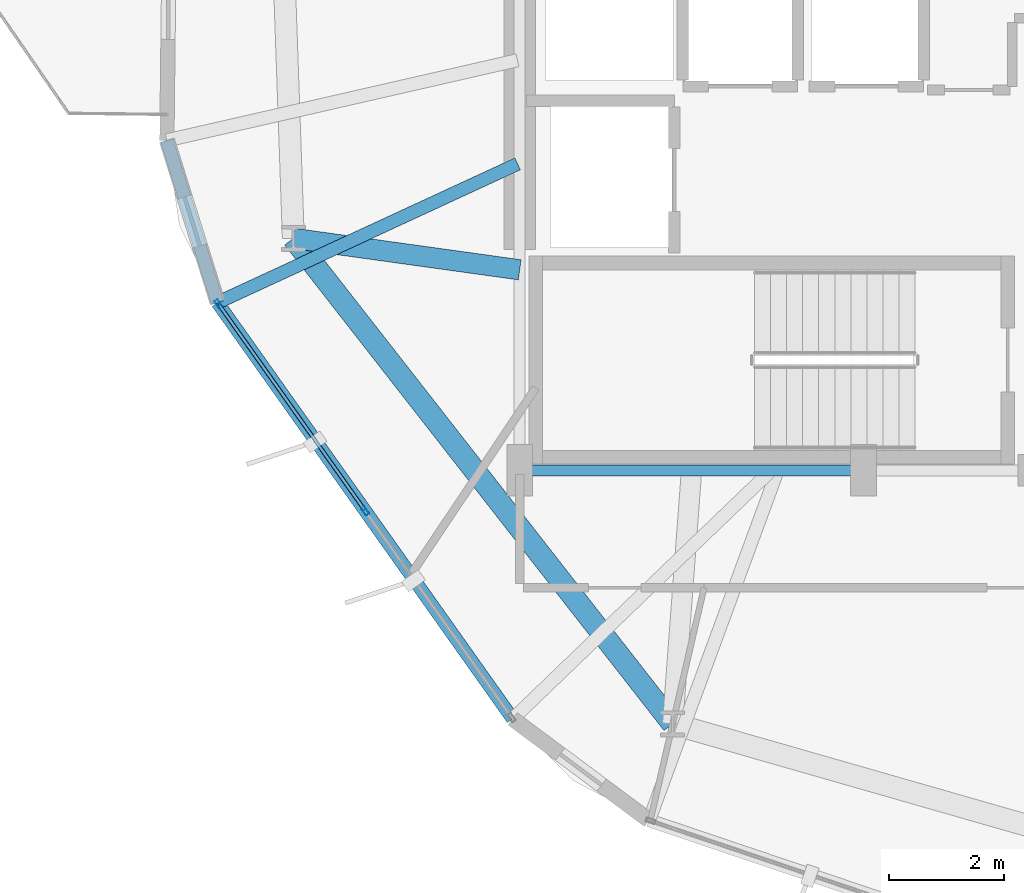
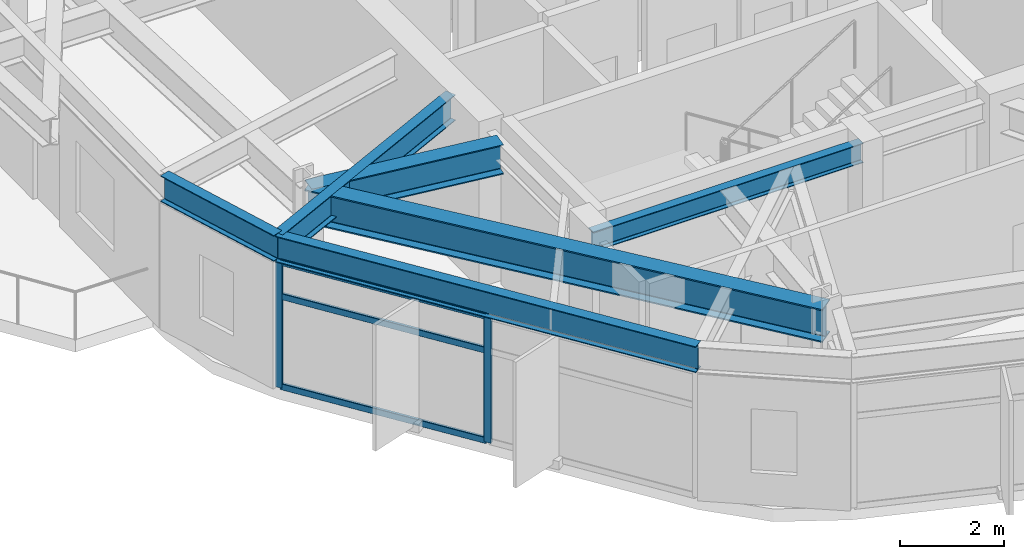
# One storey, part 3 of 27: 6 beams, 5 members, 1 element without a shape of its own.
"""IFC4 building model written with IfcOpenShell, lengths in metres."""

from ifc_helpers import new_model, si_unit, direction, frame, origin, origin_2d, place, context, subcontext, project, spatial, hollow_rectangle, i_section, extrude, material, layer, layer_set, material_profile, profile_set, type_object, element, aggregate, save


model = new_model("IFC4")

# Units and contexts
model_context = context("Model", 3, precision=1e-05, world=origin(), true_north=direction((0.0, 1.0)))
body_context = subcontext(model_context, "Body", "Model", "MODEL_VIEW")
ifc_project = project(units=[si_unit("LENGTHUNIT", "METRE"), si_unit("AREAUNIT", "SQUARE_METRE"), si_unit("VOLUMEUNIT", "CUBIC_METRE"), si_unit("PLANEANGLEUNIT", "RADIAN"), si_unit("MASSUNIT", "GRAM", prefix="KILO")], contexts=[model_context])

# Site, building, storey
site_placement = place(None, origin())
site = spatial("IfcSite", under=ifc_project, at=site_placement, CompositionType="ELEMENT")
building_placement = place(site_placement, origin())
building = spatial("IfcBuilding", under=site, at=building_placement, Name="Soratama Intermodal Tower", CompositionType="ELEMENT")
storey_placement = place(building_placement, frame((0.0, 0.0, 95.199951171875)))
storey = spatial("IfcBuildingStorey", under=building, at=storey_placement, Name="L22", CompositionType="ELEMENT", Elevation=95.199951171875)

# Beams
ifc_material_1 = material(Name="Structural steel ASTM A992 Grade 50", Category="steel")
ifc_material_profile_1 = material_profile(ifc_material_1, i_section(OverallWidth=0.19091796875, OverallDepth=0.4599609375, WebThickness=0.010009765625, FlangeThickness=0.01611328125, FilletRadius=0.010986328125, at=origin_2d()), Name="W18X55")
ifc_profile_set_1 = profile_set([ifc_material_profile_1], Name="Structural steel ASTM A992 Grade 50")
beam_type_1 = type_object("IfcBeamType", Name="BM-FLR-W18X55", PredefinedType="BEAM", material=ifc_profile_set_1)
beam_1_placement = place(storey_placement, frame((32.60009765625, 15.0, 3.3701171875), z_axis=(1.0, 0.0, 0.0), x_axis=(0.0, 1.0, 0.0)))
element("IfcBeam", 1, at=beam_1_placement, inside=storey, type_object=beam_type_1, Name="BM-L22-CRING-01", PredefinedType="BEAM", context=body_context, shape_type="SweptSolid", body=[
    extrude(i_section(OverallWidth=0.19091796875, OverallDepth=0.4599609375, WebThickness=0.010009765625, FlangeThickness=0.01611328125, FilletRadius=0.010986328125, at=origin_2d()), origin(), (0.0, 0.0, 1.0), 6.0),
])
ifc_material_2 = material(Name="Structural steel ASTM A992 Grade 50", Category="steel")
ifc_material_profile_2 = material_profile(ifc_material_2, i_section(OverallWidth=0.35498046875, OverallDepth=0.695068359375, WebThickness=0.015380859375, FlangeThickness=0.02490234375, FilletRadius=0.01611328125, at=origin_2d()), Name="W27X146")
ifc_profile_set_2 = profile_set([ifc_material_profile_2], Name="Structural steel ASTM A992 Grade 50")
beam_type_2 = type_object("IfcBeamType", Name="BM-RING-W27X146", PredefinedType="BEAM", material=ifc_profile_set_2)
beam_2_placement = place(storey_placement, frame((32.60009765625, 18.5, 3.25244140625), z_axis=(-0.990482077962, 0.137641756879, 0.0), x_axis=(-0.137641756879, -0.990482077962, 0.0)))
element("IfcBeam", 2, at=beam_2_placement, inside=storey, type_object=beam_type_2, Name="BM-L22-RAD-06", PredefinedType="BEAM", context=body_context, shape_type="SweptSolid", body=[
    extrude(i_section(OverallWidth=0.35498046875, OverallDepth=0.695068359375, WebThickness=0.015380859375, FlangeThickness=0.02490234375, FilletRadius=0.01611328125, at=origin_2d()), origin(), (0.0, 0.0, 1.0), 3.9892578125),
])
ifc_material_3 = material(Name="Structural steel ASTM A992 Grade 50", Category="steel")
ifc_material_profile_3 = material_profile(ifc_material_3, i_section(OverallWidth=0.382080078125, OverallDepth=0.779052734375, WebThickness=0.01806640625, FlangeThickness=0.030029296875, FilletRadius=0.01806640625, at=origin_2d()), Name="W30X191")
ifc_profile_set_3 = profile_set([ifc_material_profile_3], Name="Structural steel ASTM A992 Grade 50")
beam_type_3 = type_object("IfcBeamType", Name="BM-RING-W30X191", PredefinedType="BEAM", material=ifc_profile_set_3)
beam_3_placement = place(storey_placement, frame((28.64892578125, 19.049072265625, 3.21044921875), z_axis=(0.615683690883, -0.787993396407, 0.0), x_axis=(0.787993396407, 0.615683690883, 0.0)))
element("IfcBeam", 3, at=beam_3_placement, inside=storey, type_object=beam_type_3, Name="BM-L22-RING-06", PredefinedType="BEAM", context=body_context, shape_type="SweptSolid", body=[
    extrude(i_section(OverallWidth=0.382080078125, OverallDepth=0.779052734375, WebThickness=0.01806640625, FlangeThickness=0.030029296875, FilletRadius=0.01806640625, at=origin_2d()), origin(), (0.0, 0.0, 1.0), 10.754150390625),
])
ifc_material_4 = material(Name="Structural steel ASTM A992 Grade 50", Category="steel")
ifc_material_profile_4 = material_profile(ifc_material_4, i_section(OverallWidth=0.22900390625, OverallDepth=0.612060546875, WebThickness=0.011962890625, FlangeThickness=0.01953125, FilletRadius=0.012939453125, at=origin_2d()), Name="W24X84")
ifc_profile_set_4 = profile_set([ifc_material_profile_4], Name="Structural steel ASTM A992 Grade 50")
beam_type_4 = type_object("IfcBeamType", Name="BM-SPN-W24X84", PredefinedType="SPANDREL", material=ifc_profile_set_4)
beam_4_placement = place(storey_placement, frame((26.44091796875, 20.759033203125, 3.2939453125), z_axis=(0.297975100083, -0.954573642906, 0.0), x_axis=(0.954573642906, 0.297975100083, 0.0)))
element("IfcBeam", 4, at=beam_4_placement, inside=storey, type_object=beam_type_4, Name="BS-L22-CRN05", PredefinedType="SPANDREL", context=body_context, shape_type="SweptSolid", body=[
    extrude(i_section(OverallWidth=0.22900390625, OverallDepth=0.612060546875, WebThickness=0.011962890625, FlangeThickness=0.01953125, FilletRadius=0.012939453125, at=origin_2d()), origin(), (0.0, 0.0, 1.0), 2.966796875),
])
beam_5_placement = place(storey_placement, frame((27.324951171875, 17.927001953125, 3.2939453125), z_axis=(0.578484151096, -0.815693623201, 0.0), x_axis=(0.815693623201, 0.578484151096, 0.0)))
element("IfcBeam", 5, at=beam_5_placement, inside=storey, type_object=beam_type_4, Name="BS-L22-F06", PredefinedType="SPANDREL", context=body_context, shape_type="SweptSolid", body=[
    extrude(i_section(OverallWidth=0.22900390625, OverallDepth=0.612060546875, WebThickness=0.011962890625, FlangeThickness=0.01953125, FilletRadius=0.012939453125, at=origin_2d()), origin(), (0.0, 0.0, 1.0), 8.907958984375),
])
ifc_material_5 = material(Name="Structural steel ASTM A992 Grade 50", Category="steel")
ifc_material_profile_5 = material_profile(ifc_material_5, i_section(OverallWidth=0.22900390625, OverallDepth=0.612060546875, WebThickness=0.011962890625, FlangeThickness=0.01953125, FilletRadius=0.012939453125, at=origin_2d()), Name="W24X84")
ifc_profile_set_5 = profile_set([ifc_material_profile_5], Name="Structural steel ASTM A992 Grade 50")
beam_type_5 = type_object("IfcBeamType", Name="BM-TIE-W24X84", PredefinedType="BEAM", material=ifc_profile_set_5)
beam_6_placement = place(storey_placement, frame((32.56396484375, 20.34912109375, 3.2939453125), z_axis=(-0.907688070039, -0.41964552602, 0.0), x_axis=(0.41964552602, -0.907688070039, 0.0)))
element("IfcBeam", 6, at=beam_6_placement, inside=storey, type_object=beam_type_5, Name="BM-L22-TIE0-06", PredefinedType="BEAM", context=body_context, shape_type="SweptSolid", body=[
    extrude(i_section(OverallWidth=0.22900390625, OverallDepth=0.612060546875, WebThickness=0.011962890625, FlangeThickness=0.01953125, FilletRadius=0.012939453125, at=origin_2d()), origin(), (0.0, 0.0, 1.0), 5.771728515625),
])

# Curtain wall, members
ifc_material_6 = material(Name="Double-glazed aluminium curtain wall", Category="aluminium")
ifc_layer = layer(ifc_material_6, 0.159912109375)
ifc_layer_set = layer_set([ifc_layer], Name="Double-glazed aluminium curtain wall")
curtain_wall_type = type_object("IfcCurtainWallType", Name="CW-SYS-3", PredefinedType="NOTDEFINED", material=ifc_layer_set)
curtain_wall_placement = place(storey_placement, origin())
curtain_wall = element("IfcCurtainWall", 7, at=curtain_wall_placement, inside=storey, type_object=curtain_wall_type, Name="L22 Faceted Curtain Wall F06", PredefinedType="NOTDEFINED")
ifc_material_7 = material(Name="Anodised aluminium AA 6063-T6", Category="aluminium")
ifc_material_profile_6 = material_profile(ifc_material_7, hollow_rectangle(XDim=0.070068359375, YDim=0.159912109375, WallThickness=0.0048828125, InnerFilletRadius=0.0048828125, OuterFilletRadius=0.010009765625, at=origin_2d()), Name="CWM160X70X5")
ifc_profile_set_6 = profile_set([ifc_material_profile_6], Name="Anodised aluminium AA 6063-T6")
member_type_1 = type_object("IfcMemberType", Name="MT-CWM-3", PredefinedType="MULLION", material=ifc_profile_set_6)
member_1_placement = place(storey_placement, frame((27.3427734375, 17.903076171875, 0.0), z_axis=(0.0, 0.0, 1.0), x_axis=(0.815736261587, 0.578424023993, 0.0)))
member_1 = element("IfcMember", 8, at=member_1_placement, type_object=member_type_1, Name="CW-3 mullion 1", PredefinedType="MULLION", context=body_context, shape_type="SweptSolid", body=[
    extrude(hollow_rectangle(XDim=0.070068359375, YDim=0.159912109375, WallThickness=0.0048828125, InnerFilletRadius=0.0048828125, OuterFilletRadius=0.010009765625, at=origin_2d()), origin(), (0.0, 0.0, 1.0), 2.97900390625),
])
member_2_placement = place(storey_placement, frame((29.90185546875, 14.2939453125, 0.0), z_axis=(0.0, 0.0, 1.0), x_axis=(0.815736261587, 0.578424023993, 0.0)))
member_2 = element("IfcMember", 9, at=member_2_placement, type_object=member_type_1, Name="CW-3 mullion 2", PredefinedType="MULLION", context=body_context, shape_type="SweptSolid", body=[
    extrude(hollow_rectangle(XDim=0.070068359375, YDim=0.159912109375, WallThickness=0.0048828125, InnerFilletRadius=0.0048828125, OuterFilletRadius=0.010009765625, at=origin_2d()), origin(), (0.0, 0.0, 1.0), 2.97900390625),
])
ifc_material_8 = material(Name="Anodised aluminium AA 6063-T6", Category="aluminium")
ifc_material_profile_7 = material_profile(ifc_material_8, hollow_rectangle(XDim=0.06494140625, YDim=0.14990234375, WallThickness=0.0048828125, InnerFilletRadius=0.0048828125, OuterFilletRadius=0.010009765625, at=origin_2d()), Name="CWT150X65X5")
ifc_profile_set_7 = profile_set([ifc_material_profile_7], Name="Anodised aluminium AA 6063-T6")
member_type_2 = type_object("IfcMemberType", Name="TT-CWT-1", PredefinedType="USERDEFINED", material=ifc_profile_set_7)
member_3_placement = place(storey_placement, frame((27.360107421875, 17.878662109375, 0.030029296875), z_axis=(0.57836651038, -0.815777040417, 0.0), x_axis=(0.815777040417, 0.57836651038, 0.0)))
member_3 = element("IfcMember", 10, at=member_3_placement, type_object=member_type_2, Name="CW-3 transom 1.1", ObjectType="TRANSOM", PredefinedType="USERDEFINED", context=body_context, shape_type="SweptSolid", body=[
    extrude(hollow_rectangle(XDim=0.06494140625, YDim=0.14990234375, WallThickness=0.0048828125, InnerFilletRadius=0.0048828125, OuterFilletRadius=0.010009765625, at=origin_2d()), origin(), (0.0, 0.0, 1.0), 4.3642578125),
])
member_4_placement = place(storey_placement, frame((27.360107421875, 17.878662109375, 2.150146484375), z_axis=(0.57836651038, -0.815777040417, 0.0), x_axis=(0.815777040417, 0.57836651038, 0.0)))
member_4 = element("IfcMember", 11, at=member_4_placement, type_object=member_type_2, Name="CW-3 transom 1.2", ObjectType="TRANSOM", PredefinedType="USERDEFINED", context=body_context, shape_type="SweptSolid", body=[
    extrude(hollow_rectangle(XDim=0.06494140625, YDim=0.14990234375, WallThickness=0.0048828125, InnerFilletRadius=0.0048828125, OuterFilletRadius=0.010009765625, at=origin_2d()), origin(), (0.0, 0.0, 1.0), 4.3642578125),
])
member_5_placement = place(storey_placement, frame((27.360107421875, 17.878662109375, 2.948974609375), z_axis=(0.57836651038, -0.815777040417, 0.0), x_axis=(0.815777040417, 0.57836651038, 0.0)))
member_5 = element("IfcMember", 12, at=member_5_placement, type_object=member_type_2, Name="CW-3 transom 1.3", ObjectType="TRANSOM", PredefinedType="USERDEFINED", context=body_context, shape_type="SweptSolid", body=[
    extrude(hollow_rectangle(XDim=0.06494140625, YDim=0.14990234375, WallThickness=0.0048828125, InnerFilletRadius=0.0048828125, OuterFilletRadius=0.010009765625, at=origin_2d()), origin(), (0.0, 0.0, 1.0), 4.3642578125),
])
aggregate(curtain_wall, [member_1, member_2, member_3, member_4, member_5])

save(model, "model.ifc")
